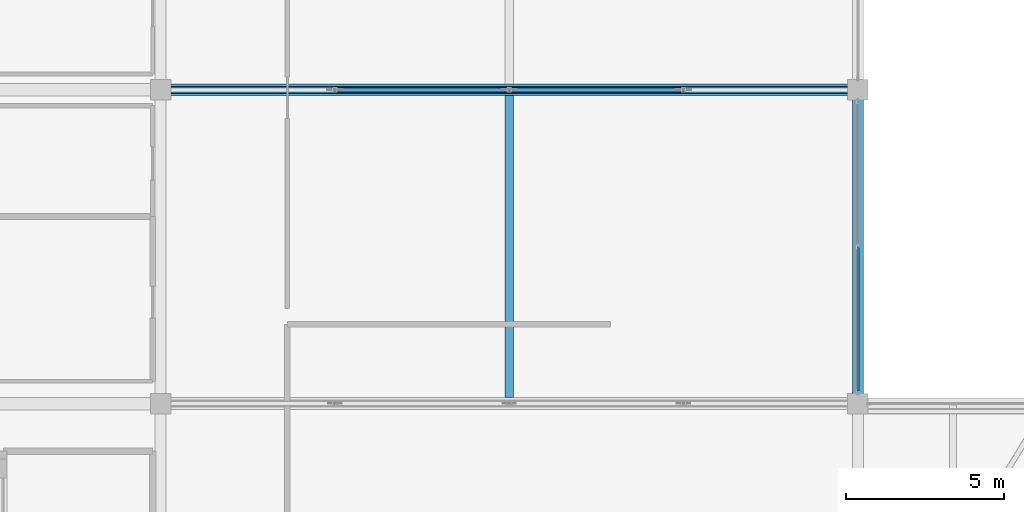
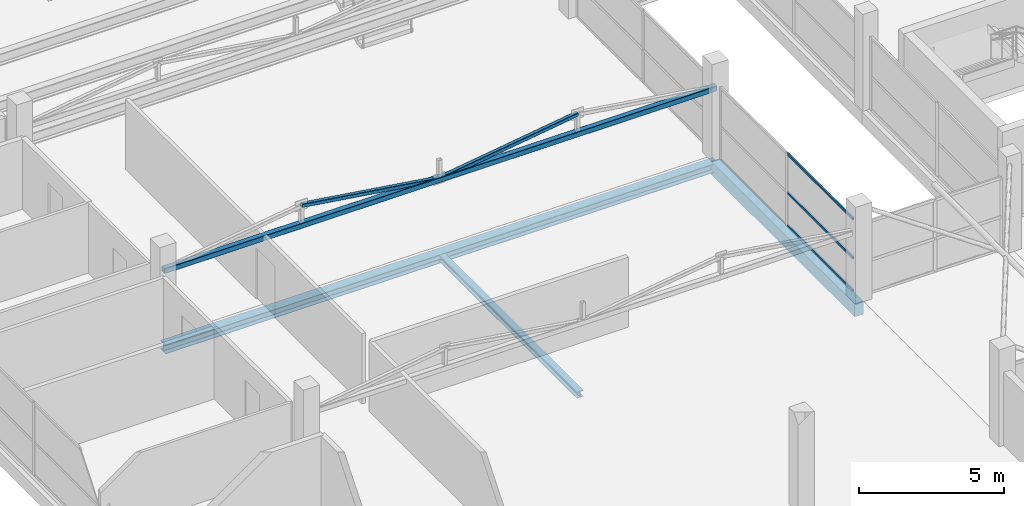
# One storey, part 25 of 70: 6 members, 3 beams, 1 element without a shape of its own.
"""IFC4 building model written with IfcOpenShell, lengths in metres."""

from ifc_helpers import new_model, si_unit, direction, frame, origin, origin_2d, place, context, subcontext, project, spatial, rectangle, hollow_rectangle, i_section, extrude, material, layer, layer_set, material_profile, profile_set, type_object, element, aggregate, save


model = new_model("IFC4")

# Units and contexts
model_context = context("Model", 3, precision=1e-05, world=origin(), true_north=direction((0.0, 1.0)))
body_context = subcontext(model_context, "Body", "Model", "MODEL_VIEW")
ifc_project = project(units=[si_unit("LENGTHUNIT", "METRE"), si_unit("AREAUNIT", "SQUARE_METRE"), si_unit("VOLUMEUNIT", "CUBIC_METRE"), si_unit("PLANEANGLEUNIT", "RADIAN"), si_unit("MASSUNIT", "GRAM", prefix="KILO")], contexts=[model_context])

# Site, building, storey
site_placement = place(None, origin())
site = spatial("IfcSite", under=ifc_project, at=site_placement, CompositionType="ELEMENT")
building_placement = place(site_placement, origin())
building = spatial("IfcBuilding", under=site, at=building_placement, Name="Sillaruma Civic Art Gallery", CompositionType="ELEMENT")
storey_placement = place(building_placement, frame((0.0, 0.0, 66.300048828125)))
storey = spatial("IfcBuildingStorey", under=building, at=storey_placement, Name="L13", CompositionType="ELEMENT", Elevation=66.300048828125)

# Beams
ifc_material_1 = material(Name="Structural Steel ASTM A992 Gr.50", Category="steel")
ifc_material_profile_1 = material_profile(ifc_material_1, i_section(OverallWidth=0.256103515625, OverallDepth=0.260009765625, WebThickness=0.0107421875, FlangeThickness=0.017333984375, FilletRadius=0.012939453125, at=origin_2d()), Name="W250x89")
ifc_profile_set_1 = profile_set([ifc_material_profile_1], Name="Structural Steel ASTM A992 Gr.50")
beam_type_1 = type_object("IfcBeamType", Name="BM-JOIST-W250x89", PredefinedType="JOIST", material=ifc_profile_set_1)
beam_1_placement = place(storey_placement, frame((81.0, 49.685546875, -0.360107421875), z_axis=(0.0, 1.0, 0.0), x_axis=(-1.0, 0.0, 0.0)))
element("IfcBeam", 1, at=beam_1_placement, inside=storey, type_object=beam_type_1, Name="Long-Span Gallery Joist JS-04 (L12:6-7)", PredefinedType="JOIST", context=body_context, shape_type="SweptSolid", body=[
    extrude(i_section(OverallWidth=0.256103515625, OverallDepth=0.260009765625, WebThickness=0.0107421875, FlangeThickness=0.017333984375, FilletRadius=0.012939453125, at=origin_2d()), origin(), (0.0, 0.0, 1.0), 9.529052734375),
])
ifc_material_2 = material(Name="Concrete H35 (35 MPa)", Category="concrete")
ifc_material_profile_2 = material_profile(ifc_material_2, rectangle(XDim=0.35009765625, YDim=0.550048828125, at=origin_2d()), Name="RCB350x550")
ifc_profile_set_2 = profile_set([ifc_material_profile_2], Name="Concrete H35 (35 MPa)")
beam_type_2 = type_object("IfcBeamType", Name="BM-SPANDREL-RCB350x550", PredefinedType="SPANDREL", material=ifc_profile_set_2)
beam_2_placement = place(storey_placement, frame((92.0, 49.5, -0.505126953125), z_axis=(0.0, 1.0, 0.0), x_axis=(-1.0, 0.0, 0.0)))
element("IfcBeam", 2, at=beam_2_placement, inside=storey, type_object=beam_type_2, Name="Beam BS-04 (L12:K:6-7)", PredefinedType="SPANDREL", context=body_context, shape_type="SweptSolid", body=[
    extrude(rectangle(XDim=0.35009765625, YDim=0.550048828125, at=origin_2d()), origin(), (0.0, 0.0, 1.0), 9.89990234375),
])
ifc_material_profile_3 = material_profile(ifc_material_1, i_section(OverallWidth=0.37109375, OverallDepth=0.364013671875, WebThickness=0.01318359375, FlangeThickness=0.021728515625, FilletRadius=0.014892578125, at=origin_2d()), Name="W360x162")
ifc_profile_set_3 = profile_set([ifc_material_profile_3], Name="Structural Steel ASTM A992 Gr.50")
beam_type_3 = type_object("IfcBeamType", Name="BM-TRTOP-W360x162", PredefinedType="BEAM", material=ifc_profile_set_3)
beam_3_placement = place(storey_placement, frame((70.0, 59.39990234375, -0.412109375), z_axis=(1.0, 0.0, 0.0), x_axis=(0.0, 1.0, 0.0)))
element("IfcBeam", 3, at=beam_3_placement, inside=storey, type_object=beam_type_3, Name="Warren Truss Top Chord TR-L12-2", PredefinedType="BEAM", context=body_context, shape_type="SweptSolid", body=[
    extrude(i_section(OverallWidth=0.37109375, OverallDepth=0.364013671875, WebThickness=0.01318359375, FlangeThickness=0.021728515625, FilletRadius=0.014892578125, at=origin_2d()), origin(), (0.0, 0.0, 1.0), 22.0),
])

# Members
ifc_material_3 = material(Name="Structural Steel ASTM A500 Gr.C", Category="steel")
ifc_material_profile_4 = material_profile(ifc_material_3, hollow_rectangle(XDim=0.14990234375, YDim=0.14990234375, WallThickness=0.010009765625, InnerFilletRadius=0.010009765625, OuterFilletRadius=0.02001953125, at=origin_2d()), Name="HSS150x150x10")
ifc_profile_set_4 = profile_set([ifc_material_profile_4], Name="Structural Steel ASTM A500 Gr.C")
member_type_1 = type_object("IfcMemberType", Name="MEM-BRACE-HSS150x150x10", PredefinedType="BRACE", material=ifc_profile_set_4)
for number, where, z_axis, x_axis, name in (
    (4, (75.5, 59.39990234375, 3.64794921875), (0.989377720719, 0.0, -0.145367553959), (0.0, 1.0, 0.0), "Warren Truss Diagonal TR-L13-2-D2"),
    (5, (81.0, 59.39990234375, 2.83984375), (0.989377720719, 0.0, 0.145367553959), (0.0, 1.0, 0.0), "Warren Truss Diagonal TR-L13-2-D3"),
):
    element("IfcMember", number, at=place(storey_placement, frame(where, z_axis=z_axis, x_axis=x_axis)), inside=storey, type_object=member_type_1, Name=name, PredefinedType="BRACE", context=body_context, shape_type="SweptSolid", body=[
        extrude(hollow_rectangle(XDim=0.14990234375, YDim=0.14990234375, WallThickness=0.010009765625, InnerFilletRadius=0.010009765625, OuterFilletRadius=0.02001953125, at=origin_2d()), origin(), (0.0, 0.0, 1.0), 5.55908203125),
    ])
ifc_material_profile_5 = material_profile(ifc_material_3, hollow_rectangle(XDim=0.219970703125, YDim=0.219970703125, WallThickness=0.012451171875, InnerFilletRadius=0.012451171875, OuterFilletRadius=0.02490234375, at=origin_2d()), Name="HSS220x220x12.5")
ifc_profile_set_5 = profile_set([ifc_material_profile_5], Name="Structural Steel ASTM A500 Gr.C")
member_type_2 = type_object("IfcMemberType", Name="MEM-CHORD-HSS220x220x12.5", PredefinedType="CHORD", material=ifc_profile_set_5)
member_1_placement = place(storey_placement, frame((70.0, 59.39990234375, 2.83984375), z_axis=(1.0, 0.0, 0.0), x_axis=(0.0, 1.0, 0.0)))
element("IfcMember", 6, at=member_1_placement, inside=storey, type_object=member_type_2, Name="Warren Truss Bottom Chord TR-L13-2", PredefinedType="CHORD", context=body_context, shape_type="SweptSolid", body=[
    extrude(hollow_rectangle(XDim=0.219970703125, YDim=0.219970703125, WallThickness=0.012451171875, InnerFilletRadius=0.012451171875, OuterFilletRadius=0.02490234375, at=origin_2d()), origin(), (0.0, 0.0, 1.0), 22.0),
])

# Curtain wall, members
ifc_material_4 = material(Name="Thermally Broken Extruded Aluminium 6063-T6", Category="aluminium")
ifc_layer = layer(ifc_material_4, 0.159912109375, Name="Thermally Broken Extruded Aluminium 6063-T6")
ifc_layer_set = layer_set([ifc_layer], Name="Thermally Broken Extruded Aluminium 6063-T6")
curtain_wall_type = type_object("IfcCurtainWallType", Name="CW-UNI-94", PredefinedType="NOTDEFINED", material=ifc_layer_set)
curtain_wall_placement = place(storey_placement, origin())
curtain_wall = element("IfcCurtainWall", 7, at=curtain_wall_placement, inside=storey, type_object=curtain_wall_type, Name="Unitised Curtain Wall CW-94 (CW-L13-WBE-4)", PredefinedType="NOTDEFINED")
ifc_material_profile_6 = material_profile(ifc_material_4, hollow_rectangle(XDim=0.06005859375, YDim=0.10009765625, WallThickness=0.003173828125, at=origin_2d()), Name="CWT60x100")
ifc_profile_set_6 = profile_set([ifc_material_profile_6], Name="Thermally Broken Extruded Aluminium 6063-T6")
member_type_3 = type_object("IfcMemberType", Name="MEM-TRN-CWT60x100", PredefinedType="USERDEFINED", material=ifc_profile_set_6)
member_2_placement = place(storey_placement, frame((92.0, 49.889892578125, 0.030029296875), z_axis=(0.0, 1.0, 0.0), x_axis=(-1.0, 0.0, 0.0)))
member_2 = element("IfcMember", 8, at=member_2_placement, type_object=member_type_3, Name="CW-94 transom 1.1", ObjectType="TRANSOM", PredefinedType="USERDEFINED", context=body_context, shape_type="SweptSolid", body=[
    extrude(hollow_rectangle(XDim=0.06005859375, YDim=0.10009765625, WallThickness=0.003173828125, at=origin_2d()), origin(), (0.0, 0.0, 1.0), 4.527587890625),
])
member_3_placement = place(storey_placement, frame((92.0, 49.889892578125, 1.416748046875), z_axis=(0.0, 1.0, 0.0), x_axis=(-1.0, 0.0, 0.0)))
member_3 = element("IfcMember", 9, at=member_3_placement, type_object=member_type_3, Name="CW-94 transom 1.2", ObjectType="TRANSOM", PredefinedType="USERDEFINED", context=body_context, shape_type="SweptSolid", body=[
    extrude(hollow_rectangle(XDim=0.06005859375, YDim=0.10009765625, WallThickness=0.003173828125, at=origin_2d()), origin(), (0.0, 0.0, 1.0), 4.527587890625),
])
member_4_placement = place(storey_placement, frame((92.0, 49.889892578125, 3.050048828125), z_axis=(0.0, 1.0, 0.0), x_axis=(-1.0, 0.0, 0.0)))
member_4 = element("IfcMember", 10, at=member_4_placement, type_object=member_type_3, Name="CW-94 transom 1.3", ObjectType="TRANSOM", PredefinedType="USERDEFINED", context=body_context, shape_type="SweptSolid", body=[
    extrude(hollow_rectangle(XDim=0.06005859375, YDim=0.10009765625, WallThickness=0.003173828125, at=origin_2d()), origin(), (0.0, 0.0, 1.0), 4.527587890625),
])
aggregate(curtain_wall, [member_2, member_3, member_4])

save(model, "model.ifc")
